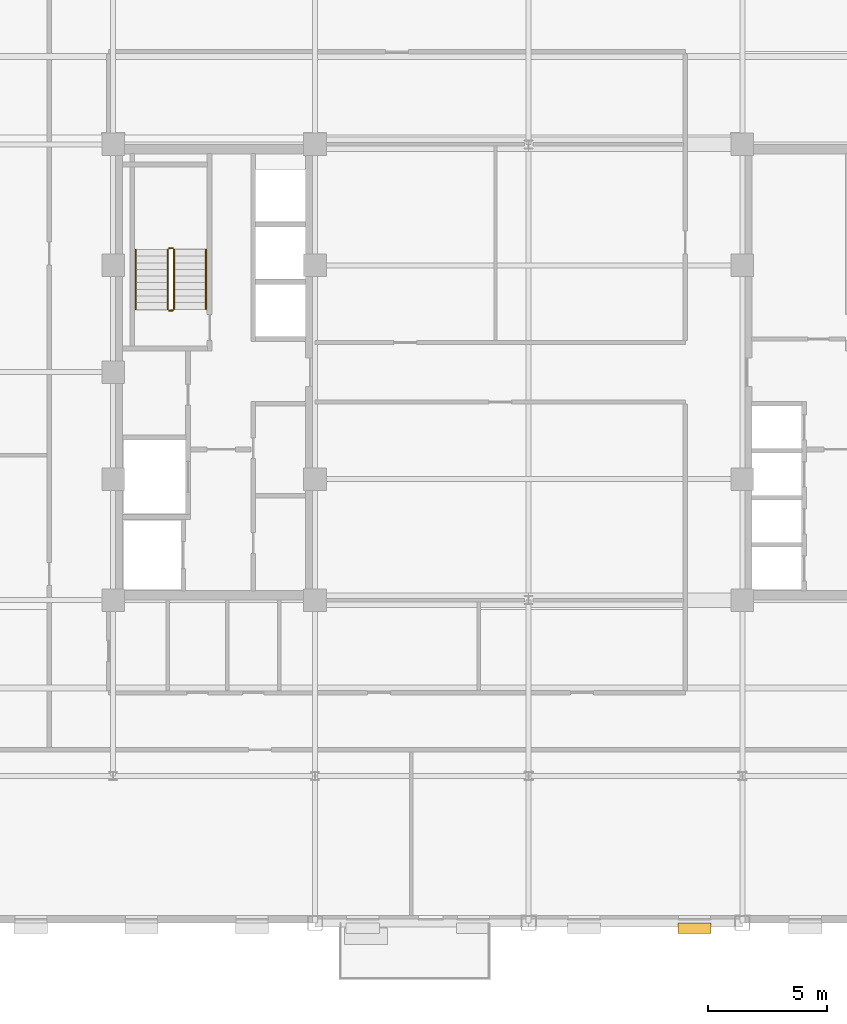
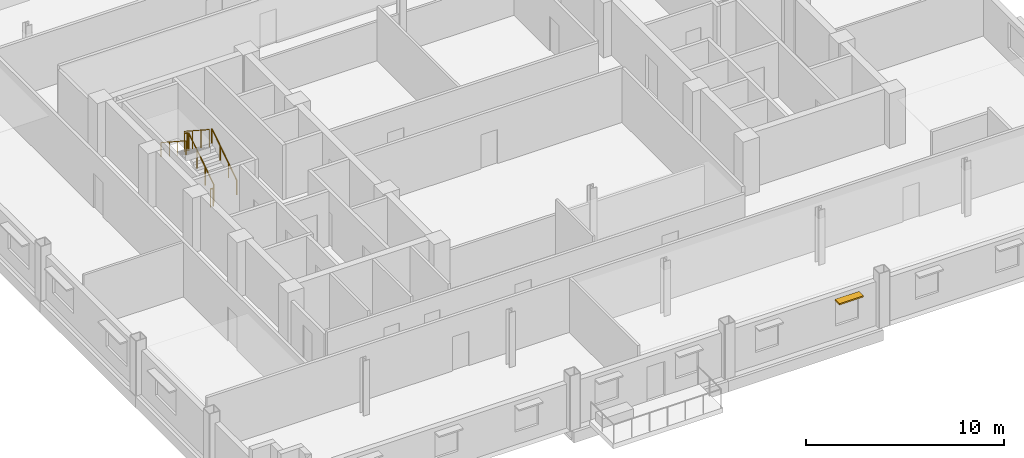
# One storey, part 11 of 14: 6 railings, 1 shading device.
"""IFC4 building model written with IfcOpenShell, lengths in metres."""

from ifc_helpers import new_model, si_unit, direction, frame, origin, origin_2d, place, context, subcontext, project, spatial, rectangle, circle, extrude, source, transform, mapped, material, type_object, type_shapes, element, save


model = new_model("IFC4")

# Units and contexts
model_context = context("Model", 3, precision=1e-05, world=origin(), true_north=direction((0.0, 1.0)))
body_context = subcontext(model_context, "Body", "Model", "MODEL_VIEW")
ifc_project = project(units=[si_unit("LENGTHUNIT", "METRE"), si_unit("AREAUNIT", "SQUARE_METRE"), si_unit("VOLUMEUNIT", "CUBIC_METRE"), si_unit("PLANEANGLEUNIT", "RADIAN"), si_unit("MASSUNIT", "GRAM", prefix="KILO")], contexts=[model_context])

# Site, building, storey
site_placement = place(None, origin())
site = spatial("IfcSite", under=ifc_project, at=site_placement, CompositionType="ELEMENT")
building_placement = place(site_placement, origin())
building = spatial("IfcBuilding", under=site, at=building_placement, Name="Nuvemarco Arch Tower", CompositionType="ELEMENT")
storey_placement = place(building_placement, frame((0.0, 0.0, 127.5)))
storey = spatial("IfcBuildingStorey", under=building, at=storey_placement, Name="L33", CompositionType="ELEMENT", Elevation=127.5)

# Railings
ifc_material_1 = material(Name="Brushed stainless steel handrail", Category="steel")
railing_type_1 = type_object("IfcRailingType", Name="RL-HANDRAIL-900", PredefinedType="HANDRAIL", material=ifc_material_1)
railing_1_placement = place(storey_placement, frame((-13.590087890625, 2.64990234375, 0.1826171875)))
element("IfcRailing", 1, at=railing_1_placement, inside=storey, type_object=railing_type_1, Name="L33 ST-1 stair handrail 1", PredefinedType="HANDRAIL", context=body_context, shape_type="SweptSolid", body=[
    extrude(circle(Radius=0.02392578125, at=origin_2d()), frame((0.0, 0.0, 0.8759765625), z_axis=(0.0, 0.837786554691, 0.545997883492), x_axis=(-1.0, 0.0, 0.0)), (0.0, 0.0, 1.0), 3.008056640625),
    extrude(circle(Radius=0.02099609375, at=origin_2d()), origin(), (0.0, 0.0, 1.0), 0.851806640625),
    extrude(circle(Radius=0.02099609375, at=origin_2d()), frame((0.0, 0.840087890625, 0.54736328125)), (0.0, 0.0, 1.0), 0.851806640625),
    extrude(circle(Radius=0.02099609375, at=origin_2d()), frame((0.0, 1.679931640625, 1.094970703125)), (0.0, 0.0, 1.0), 0.851806640625),
    extrude(circle(Radius=0.02099609375, at=origin_2d()), frame((0.0, 2.52001953125, 1.642333984375)), (0.0, 0.0, 1.0), 0.851806640625),
])
railing_2_placement = place(storey_placement, frame((-16.550048828125, 5.169921875, 2.007568359375)))
element("IfcRailing", 2, at=railing_2_placement, inside=storey, type_object=railing_type_1, Name="L33 ST-1 stair handrail 2", PredefinedType="HANDRAIL", context=body_context, shape_type="SweptSolid", body=[
    extrude(circle(Radius=0.02392578125, at=origin_2d()), frame((0.0, 0.0, 0.8759765625), z_axis=(0.0, -0.837786554691, 0.545997883492), x_axis=(1.0, 0.0, 0.0)), (0.0, 0.0, 1.0), 3.008056640625),
    extrude(circle(Radius=0.02099609375, at=origin_2d()), origin(), (0.0, 0.0, 1.0), 0.851806640625),
    extrude(circle(Radius=0.02099609375, at=origin_2d()), frame((0.0, -0.840087890625, 0.54736328125)), (0.0, 0.0, 1.0), 0.851806640625),
    extrude(circle(Radius=0.02099609375, at=origin_2d()), frame((0.0, -1.679931640625, 1.094970703125)), (0.0, 0.0, 1.0), 0.851806640625),
    extrude(circle(Radius=0.02099609375, at=origin_2d()), frame((0.0, -2.52001953125, 1.642333984375)), (0.0, 0.0, 1.0), 0.851806640625),
])
ifc_material_2 = material(Name="Painted balustrade steel S355", Category="steel")
railing_type_2 = type_object("IfcRailingType", Name="RL-STAIR-GUARD", PredefinedType="GUARDRAIL", material=ifc_material_2)
railing_3_placement = place(storey_placement, frame((-14.93994140625, 2.64990234375, 0.1826171875)))
element("IfcRailing", 3, at=railing_3_placement, inside=storey, type_object=railing_type_2, Name="L33 ST-1 stair guard 1", PredefinedType="GUARDRAIL", context=body_context, shape_type="SweptSolid", body=[
    extrude(circle(Radius=0.02392578125, at=origin_2d()), frame((0.0, 0.0, 1.09619140625), z_axis=(0.0, 0.837786554691, 0.545997883492), x_axis=(-1.0, 0.0, 0.0)), (0.0, 0.0, 1.0), 3.008056640625),
    extrude(circle(Radius=0.02099609375, at=origin_2d()), origin(), (0.0, 0.0, 1.0), 1.072021484375),
    extrude(circle(Radius=0.02099609375, at=origin_2d()), frame((0.0, 0.840087890625, 0.54736328125)), (0.0, 0.0, 1.0), 1.072021484375),
    extrude(circle(Radius=0.02099609375, at=origin_2d()), frame((0.0, 1.679931640625, 1.094970703125)), (0.0, 0.0, 1.0), 1.072021484375),
    extrude(circle(Radius=0.02099609375, at=origin_2d()), frame((0.0, 2.52001953125, 1.642333984375)), (0.0, 0.0, 1.0), 1.072021484375),
])
railing_4_placement = place(storey_placement, frame((-14.989990234375, 5.219970703125, 1.824951171875)))
element("IfcRailing", 4, at=railing_4_placement, inside=storey, type_object=railing_type_2, Name="L33 ST-1 stair guard 2", PredefinedType="GUARDRAIL", context=body_context, shape_type="SweptSolid", body=[
    extrude(circle(Radius=0.02392578125, at=origin_2d()), frame((0.0, 0.0, 1.09619140625), z_axis=(-1.0, 0.0, 0.0), x_axis=(0.0, -1.0, 0.0)), (0.0, 0.0, 1.0), 0.159912109375),
    extrude(circle(Radius=0.02099609375, at=origin_2d()), origin(), (0.0, 0.0, 1.0), 1.072021484375),
    extrude(circle(Radius=0.02099609375, at=origin_2d()), frame((-0.159912109375, 0.0, 0.0)), (0.0, 0.0, 1.0), 1.072021484375),
])
railing_5_placement = place(storey_placement, frame((-15.199951171875, 5.169921875, 2.007568359375)))
element("IfcRailing", 5, at=railing_5_placement, inside=storey, type_object=railing_type_2, Name="L33 ST-1 stair guard 3", PredefinedType="GUARDRAIL", context=body_context, shape_type="SweptSolid", body=[
    extrude(circle(Radius=0.02392578125, at=origin_2d()), frame((0.0, 0.0, 1.09619140625), z_axis=(0.0, -0.837786554691, 0.545997883492), x_axis=(1.0, 0.0, 0.0)), (0.0, 0.0, 1.0), 3.008056640625),
    extrude(circle(Radius=0.02099609375, at=origin_2d()), origin(), (0.0, 0.0, 1.0), 1.072021484375),
    extrude(circle(Radius=0.02099609375, at=origin_2d()), frame((0.0, -0.840087890625, 0.54736328125)), (0.0, 0.0, 1.0), 1.072021484375),
    extrude(circle(Radius=0.02099609375, at=origin_2d()), frame((0.0, -1.679931640625, 1.094970703125)), (0.0, 0.0, 1.0), 1.072021484375),
    extrude(circle(Radius=0.02099609375, at=origin_2d()), frame((0.0, -2.52001953125, 1.642333984375)), (0.0, 0.0, 1.0), 1.072021484375),
])
railing_6_placement = place(storey_placement, frame((-14.989990234375, 2.60009765625, 0.0)))
element("IfcRailing", 6, at=railing_6_placement, inside=storey, type_object=railing_type_2, Name="L33 ST-1 stair guard 4", PredefinedType="GUARDRAIL", context=body_context, shape_type="SweptSolid", body=[
    extrude(circle(Radius=0.02392578125, at=origin_2d()), frame((0.0, 0.0, 1.09619140625), z_axis=(-1.0, 0.0, 0.0), x_axis=(0.0, -1.0, 0.0)), (0.0, 0.0, 1.0), 0.159912109375),
    extrude(circle(Radius=0.02099609375, at=origin_2d()), origin(), (0.0, 0.0, 1.0), 1.072021484375),
    extrude(circle(Radius=0.02099609375, at=origin_2d()), frame((-0.159912109375, 0.0, 0.0)), (0.0, 0.0, 1.0), 1.072021484375),
])

# Shading device
ifc_material_3 = material(Name="Anodised aluminium 6063-T6", Category="aluminium")
shading_device_type = type_object("IfcShadingDeviceType", Name="SHD-BRISE-NARROW", PredefinedType="USERDEFINED", material=ifc_material_3)
shared_shape = source(origin(), body_context, "Body", "SweptSolid", [
    extrude(rectangle(XDim=1.39990234375, YDim=0.449951171875, at=origin_2d()), origin(), (0.0, 0.0, 1.0), 0.080078125),
])
type_shapes(shading_device_type, [shared_shape])
shading_device_placement = place(storey_placement, frame((6.989990234375, -23.4150390625, 2.364990234375), z_axis=(0.0, 0.0, 1.0), x_axis=(1.0, 0.0, 0.0)))
element("IfcShadingDevice", 7, at=shading_device_placement, inside=storey, type_object=shading_device_type, Name="L33 horizontal brise-soleil sunshade", ObjectType="SUNSHADE", PredefinedType="USERDEFINED", context=body_context, shape_type="MappedRepresentation", body=[
    mapped(shared_shape, transform((0.0, 0.0, 0.0), scale=1.0)),
])

save(model, "model.ifc")
